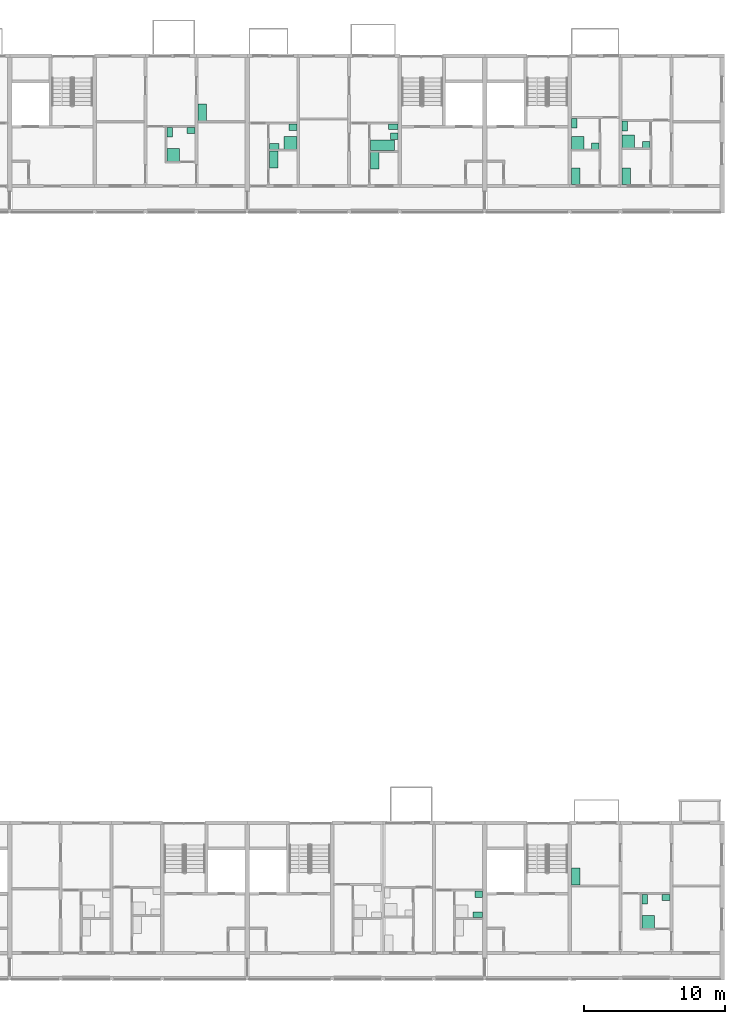
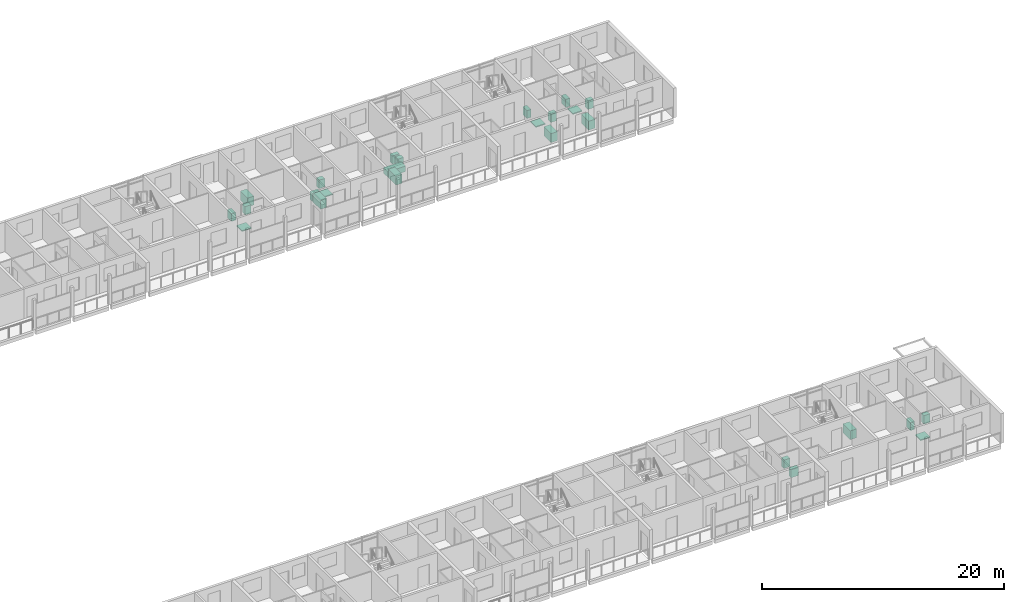
# One storey, part 93 of 93: 26 sanitary terminals.
"""IFC4 building model written with IfcOpenShell, lengths in metres."""

from ifc_helpers import new_model, si_unit, direction, frame, origin, origin_2d, place, context, subcontext, project, spatial, rectangle, extrude, element, save


model = new_model("IFC4")

# Units and contexts
model_context = context("Model", 3, precision=1e-05, world=origin(), true_north=direction((0.0, 1.0)))
body_context = subcontext(model_context, "Body", "Model", "MODEL_VIEW")
ifc_project = project(units=[si_unit("LENGTHUNIT", "METRE"), si_unit("AREAUNIT", "SQUARE_METRE"), si_unit("VOLUMEUNIT", "CUBIC_METRE"), si_unit("PLANEANGLEUNIT", "RADIAN"), si_unit("MASSUNIT", "GRAM", prefix="KILO")], contexts=[model_context])

# Site, building, storey
site_placement = place(None, origin())
site = spatial("IfcSite", under=ifc_project, at=site_placement, CompositionType="ELEMENT")
building_placement = place(site_placement, origin())
building = spatial("IfcBuilding", under=site, at=building_placement, Name="Ridgestep Commons", CompositionType="ELEMENT")
storey_placement = place(building_placement, frame((0.0, 0.0, 18.0)))
storey = spatial("IfcBuildingStorey", under=building, at=storey_placement, Name="L06", CompositionType="ELEMENT", Elevation=18.0)

# Sanitary terminals
sanitary_terminal_1_placement = place(storey_placement, frame((208.760009765625, 70.110107421875, 0.0), z_axis=(0.0, 0.0, 1.0), x_axis=(1.0, 0.0, 0.0)))
element("IfcSanitaryTerminal", 1, at=sanitary_terminal_1_placement, inside=storey, Name="Shower tray C4-06a", PredefinedType="SHOWER", context=body_context, shape_type="SweptSolid", body=[
    extrude(rectangle(XDim=0.89990234375, YDim=0.89990234375, at=origin_2d()), origin(), (0.0, 0.0, 1.0), 0.10009765625),
])
sanitary_terminal_2_placement = place(storey_placement, frame((208.510009765625, 71.7099609375, 0.0), z_axis=(0.0, 0.0, 1.0), x_axis=(1.0, 0.0, 0.0)))
element("IfcSanitaryTerminal", 2, at=sanitary_terminal_2_placement, inside=storey, Name="WC C4-06a", PredefinedType="TOILETPAN", context=body_context, shape_type="SweptSolid", body=[
    extrude(rectangle(XDim=0.39990234375, YDim=0.699951171875, at=origin_2d()), origin(), (0.0, 0.0, 1.0), 0.800048828125),
])
sanitary_terminal_3_placement = place(storey_placement, frame((210.02490234375, 71.8349609375, 0.0), z_axis=(0.0, 0.0, 1.0), x_axis=(1.0, 0.0, 0.0)))
element("IfcSanitaryTerminal", 3, at=sanitary_terminal_3_placement, inside=storey, Name="Basin C4-06a", PredefinedType="WASHHANDBASIN", context=body_context, shape_type="SweptSolid", body=[
    extrude(rectangle(XDim=0.550048828125, YDim=0.449951171875, at=origin_2d()), origin(), (0.0, 0.0, 1.0), 0.85009765625),
])
sanitary_terminal_4_placement = place(storey_placement, frame((210.800048828125, 73.110107421875, 0.0), z_axis=(0.0, 0.0, 1.0), x_axis=(1.0, 0.0, 0.0)))
element("IfcSanitaryTerminal", 4, at=sanitary_terminal_4_placement, inside=storey, Name="Kitchen sink C4-06a", PredefinedType="SINK", context=body_context, shape_type="SweptSolid", body=[
    extrude(rectangle(XDim=0.60009765625, YDim=1.199951171875, at=origin_2d()), origin(), (0.0, 0.0, 1.0), 0.89990234375),
])
sanitary_terminal_5_placement = place(storey_placement, frame((217.050048828125, 70.9599609375, 0.0), z_axis=(0.0, 0.0, 1.0), x_axis=(1.0, 0.0, 0.0)))
element("IfcSanitaryTerminal", 5, at=sanitary_terminal_5_placement, inside=storey, Name="Shower tray C5-06a", PredefinedType="SHOWER", context=body_context, shape_type="SweptSolid", body=[
    extrude(rectangle(XDim=0.89990234375, YDim=0.89990234375, at=origin_2d()), origin(), (0.0, 0.0, 1.0), 0.10009765625),
])
sanitary_terminal_6_placement = place(storey_placement, frame((215.909912109375, 70.7099609375, 0.0), z_axis=(0.0, 0.0, 1.0), x_axis=(1.0, 0.0, 0.0)))
element("IfcSanitaryTerminal", 6, at=sanitary_terminal_6_placement, inside=storey, Name="WC C5-06a", PredefinedType="TOILETPAN", context=body_context, shape_type="SweptSolid", body=[
    extrude(rectangle(XDim=0.699951171875, YDim=0.39990234375, at=origin_2d()), origin(), (0.0, 0.0, 1.0), 0.800048828125),
])
sanitary_terminal_7_placement = place(storey_placement, frame((217.22509765625, 72.074951171875, 0.0), z_axis=(0.0, 0.0, 1.0), x_axis=(1.0, 0.0, 0.0)))
element("IfcSanitaryTerminal", 7, at=sanitary_terminal_7_placement, inside=storey, Name="Basin C5-06a", PredefinedType="WASHHANDBASIN", context=body_context, shape_type="SweptSolid", body=[
    extrude(rectangle(XDim=0.550048828125, YDim=0.449951171875, at=origin_2d()), origin(), (0.0, 0.0, 1.0), 0.85009765625),
])
sanitary_terminal_8_placement = place(storey_placement, frame((215.860107421875, 69.800048828125, 0.0), z_axis=(0.0, 0.0, 1.0), x_axis=(1.0, 0.0, 0.0)))
element("IfcSanitaryTerminal", 8, at=sanitary_terminal_8_placement, inside=storey, Name="Kitchen sink C5-06a", PredefinedType="SINK", context=body_context, shape_type="SweptSolid", body=[
    extrude(rectangle(XDim=0.60009765625, YDim=1.199951171875, at=origin_2d()), origin(), (0.0, 0.0, 1.0), 0.89990234375),
])
sanitary_terminal_9_placement = place(storey_placement, frame((223.56005859375, 70.784912109375, 0.0), z_axis=(0.0, 0.0, 1.0), x_axis=(1.0, 0.0, 0.0)))
element("IfcSanitaryTerminal", 9, at=sanitary_terminal_9_placement, inside=storey, Name="Bath C5-06b", PredefinedType="BATH", context=body_context, shape_type="SweptSolid", body=[
    extrude(rectangle(XDim=1.699951171875, YDim=0.75, at=origin_2d()), origin(), (0.0, 0.0, 1.0), 0.550048828125),
])
sanitary_terminal_10_placement = place(storey_placement, frame((224.324951171875, 72.10009765625, 0.0), z_axis=(0.0, 0.0, 1.0), x_axis=(1.0, 0.0, 0.0)))
element("IfcSanitaryTerminal", 10, at=sanitary_terminal_10_placement, inside=storey, Name="WC C5-06b", PredefinedType="TOILETPAN", context=body_context, shape_type="SweptSolid", body=[
    extrude(rectangle(XDim=0.699951171875, YDim=0.39990234375, at=origin_2d()), origin(), (0.0, 0.0, 1.0), 0.800048828125),
])
sanitary_terminal_11_placement = place(storey_placement, frame((224.39990234375, 71.43505859375, 0.0), z_axis=(0.0, 0.0, 1.0), x_axis=(1.0, 0.0, 0.0)))
element("IfcSanitaryTerminal", 11, at=sanitary_terminal_11_placement, inside=storey, Name="Basin C5-06b", PredefinedType="WASHHANDBASIN", context=body_context, shape_type="SweptSolid", body=[
    extrude(rectangle(XDim=0.550048828125, YDim=0.449951171875, at=origin_2d()), origin(), (0.0, 0.0, 1.0), 0.85009765625),
])
sanitary_terminal_12_placement = place(storey_placement, frame((223.010009765625, 69.699951171875, 0.0), z_axis=(0.0, 0.0, 1.0), x_axis=(1.0, 0.0, 0.0)))
element("IfcSanitaryTerminal", 12, at=sanitary_terminal_12_placement, inside=storey, Name="Kitchen sink C5-06b", PredefinedType="SINK", context=body_context, shape_type="SweptSolid", body=[
    extrude(rectangle(XDim=0.60009765625, YDim=1.199951171875, at=origin_2d()), origin(), (0.0, 0.0, 1.0), 0.89990234375),
])
sanitary_terminal_13_placement = place(storey_placement, frame((240.949951171875, 71.06005859375, 0.0), z_axis=(0.0, 0.0, 1.0), x_axis=(1.0, 0.0, 0.0)))
element("IfcSanitaryTerminal", 13, at=sanitary_terminal_13_placement, inside=storey, Name="Shower tray C6-06a", PredefinedType="SHOWER", context=body_context, shape_type="SweptSolid", body=[
    extrude(rectangle(XDim=0.89990234375, YDim=0.89990234375, at=origin_2d()), origin(), (0.0, 0.0, 1.0), 0.10009765625),
])
sanitary_terminal_14_placement = place(storey_placement, frame((240.699951171875, 72.14990234375, 0.0), z_axis=(0.0, 0.0, 1.0), x_axis=(1.0, 0.0, 0.0)))
element("IfcSanitaryTerminal", 14, at=sanitary_terminal_14_placement, inside=storey, Name="WC C6-06a", PredefinedType="TOILETPAN", context=body_context, shape_type="SweptSolid", body=[
    extrude(rectangle(XDim=0.39990234375, YDim=0.699951171875, at=origin_2d()), origin(), (0.0, 0.0, 1.0), 0.800048828125),
])
sanitary_terminal_15_placement = place(storey_placement, frame((242.215087890625, 70.8349609375, 0.0), z_axis=(0.0, 0.0, 1.0), x_axis=(1.0, 0.0, 0.0)))
element("IfcSanitaryTerminal", 15, at=sanitary_terminal_15_placement, inside=storey, Name="Basin C6-06a", PredefinedType="WASHHANDBASIN", context=body_context, shape_type="SweptSolid", body=[
    extrude(rectangle(XDim=0.550048828125, YDim=0.449951171875, at=origin_2d()), origin(), (0.0, 0.0, 1.0), 0.85009765625),
])
sanitary_terminal_16_placement = place(storey_placement, frame((240.800048828125, 68.60009765625, 0.0), z_axis=(0.0, 0.0, 1.0), x_axis=(1.0, 0.0, 0.0)))
element("IfcSanitaryTerminal", 16, at=sanitary_terminal_16_placement, inside=storey, Name="Kitchen sink C6-06a", PredefinedType="SINK", context=body_context, shape_type="SweptSolid", body=[
    extrude(rectangle(XDim=0.60009765625, YDim=1.199951171875, at=origin_2d()), origin(), (0.0, 0.0, 1.0), 0.89990234375),
])
sanitary_terminal_17_placement = place(storey_placement, frame((237.375, 70.9599609375, 0.0), z_axis=(0.0, 0.0, 1.0), x_axis=(1.0, 0.0, 0.0)))
element("IfcSanitaryTerminal", 17, at=sanitary_terminal_17_placement, inside=storey, Name="Shower tray C6-06b", PredefinedType="SHOWER", context=body_context, shape_type="SweptSolid", body=[
    extrude(rectangle(XDim=0.89990234375, YDim=0.89990234375, at=origin_2d()), origin(), (0.0, 0.0, 1.0), 0.10009765625),
])
sanitary_terminal_18_placement = place(storey_placement, frame((237.125, 72.35009765625, 0.0), z_axis=(0.0, 0.0, 1.0), x_axis=(1.0, 0.0, 0.0)))
element("IfcSanitaryTerminal", 18, at=sanitary_terminal_18_placement, inside=storey, Name="WC C6-06b", PredefinedType="TOILETPAN", context=body_context, shape_type="SweptSolid", body=[
    extrude(rectangle(XDim=0.39990234375, YDim=0.699951171875, at=origin_2d()), origin(), (0.0, 0.0, 1.0), 0.800048828125),
])
sanitary_terminal_19_placement = place(storey_placement, frame((238.614990234375, 70.735107421875, 0.0), z_axis=(0.0, 0.0, 1.0), x_axis=(1.0, 0.0, 0.0)))
element("IfcSanitaryTerminal", 19, at=sanitary_terminal_19_placement, inside=storey, Name="Basin C6-06b", PredefinedType="WASHHANDBASIN", context=body_context, shape_type="SweptSolid", body=[
    extrude(rectangle(XDim=0.550048828125, YDim=0.449951171875, at=origin_2d()), origin(), (0.0, 0.0, 1.0), 0.85009765625),
])
sanitary_terminal_20_placement = place(storey_placement, frame((237.22509765625, 68.60009765625, 0.0), z_axis=(0.0, 0.0, 1.0), x_axis=(1.0, 0.0, 0.0)))
element("IfcSanitaryTerminal", 20, at=sanitary_terminal_20_placement, inside=storey, Name="Kitchen sink C6-06b", PredefinedType="SINK", context=body_context, shape_type="SweptSolid", body=[
    extrude(rectangle(XDim=0.60009765625, YDim=1.199951171875, at=origin_2d()), origin(), (0.0, 0.0, 1.0), 0.89990234375),
])
sanitary_terminal_21_placement = place(storey_placement, frame((230.300048828125, 16.360107421875, 0.0), z_axis=(0.0, 0.0, 1.0), x_axis=(1.0, 0.0, 0.0)))
element("IfcSanitaryTerminal", 21, at=sanitary_terminal_21_placement, inside=storey, Name="WC D5-06a", PredefinedType="TOILETPAN", context=body_context, shape_type="SweptSolid", body=[
    extrude(rectangle(XDim=0.699951171875, YDim=0.39990234375, at=origin_2d()), origin(), (0.0, 0.0, 1.0), 0.800048828125),
])
sanitary_terminal_22_placement = place(storey_placement, frame((230.375, 17.824951171875, 0.0), z_axis=(0.0, 0.0, 1.0), x_axis=(1.0, 0.0, 0.0)))
element("IfcSanitaryTerminal", 22, at=sanitary_terminal_22_placement, inside=storey, Name="Basin D5-06a", PredefinedType="WASHHANDBASIN", context=body_context, shape_type="SweptSolid", body=[
    extrude(rectangle(XDim=0.550048828125, YDim=0.449951171875, at=origin_2d()), origin(), (0.0, 0.0, 1.0), 0.85009765625),
])
sanitary_terminal_23_placement = place(storey_placement, frame((242.360107421875, 15.860107421875, 0.0), z_axis=(0.0, 0.0, 1.0), x_axis=(1.0, 0.0, 0.0)))
element("IfcSanitaryTerminal", 23, at=sanitary_terminal_23_placement, inside=storey, Name="Shower tray D6-06a", PredefinedType="SHOWER", context=body_context, shape_type="SweptSolid", body=[
    extrude(rectangle(XDim=0.89990234375, YDim=0.89990234375, at=origin_2d()), origin(), (0.0, 0.0, 1.0), 0.10009765625),
])
sanitary_terminal_24_placement = place(storey_placement, frame((242.110107421875, 17.4599609375, 0.0), z_axis=(0.0, 0.0, 1.0), x_axis=(1.0, 0.0, 0.0)))
element("IfcSanitaryTerminal", 24, at=sanitary_terminal_24_placement, inside=storey, Name="WC D6-06a", PredefinedType="TOILETPAN", context=body_context, shape_type="SweptSolid", body=[
    extrude(rectangle(XDim=0.39990234375, YDim=0.699951171875, at=origin_2d()), origin(), (0.0, 0.0, 1.0), 0.800048828125),
])
sanitary_terminal_25_placement = place(storey_placement, frame((243.625, 17.5849609375, 0.0), z_axis=(0.0, 0.0, 1.0), x_axis=(1.0, 0.0, 0.0)))
element("IfcSanitaryTerminal", 25, at=sanitary_terminal_25_placement, inside=storey, Name="Basin D6-06a", PredefinedType="WASHHANDBASIN", context=body_context, shape_type="SweptSolid", body=[
    extrude(rectangle(XDim=0.550048828125, YDim=0.449951171875, at=origin_2d()), origin(), (0.0, 0.0, 1.0), 0.85009765625),
])
sanitary_terminal_26_placement = place(storey_placement, frame((237.22509765625, 19.06005859375, 0.0), z_axis=(0.0, 0.0, 1.0), x_axis=(1.0, 0.0, 0.0)))
element("IfcSanitaryTerminal", 26, at=sanitary_terminal_26_placement, inside=storey, Name="Kitchen sink D6-06a", PredefinedType="SINK", context=body_context, shape_type="SweptSolid", body=[
    extrude(rectangle(XDim=0.60009765625, YDim=1.199951171875, at=origin_2d()), origin(), (0.0, 0.0, 1.0), 0.89990234375),
])

save(model, "model.ifc")
